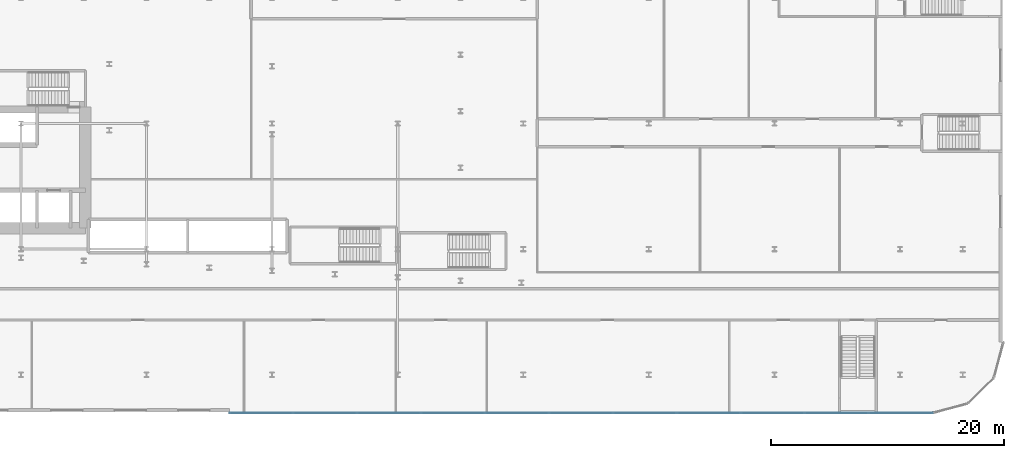
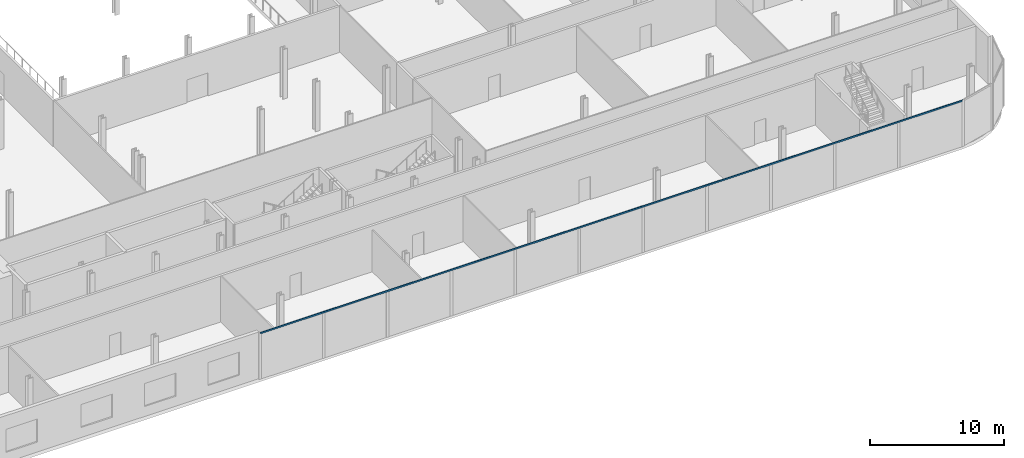
# One storey, part 11 of 47: 1 member, 1 element without a shape of its own.
"""IFC4 building model written with IfcOpenShell, lengths in metres."""

import ifcopenshell
import ifcopenshell.guid

model = None  # the IFC model being written
_history = None  # IfcOwnerHistory: only IFC2X3 demands one
_inside = {}  # id of a spatial element -> (the spatial element, [elements in it])
_under = {}  # id of a project, library or spatial element -> (it, [spatial elements below it])
_declared = {}  # id of a project -> (the project, [libraries it declares])
_typed = {}  # id of a type object -> (the type object, [elements of that type])
_made_of = {}  # id of a material, layer set ... -> (it, [elements and type objects made of it])


def new_model(schema):
    """Start an empty IFC model of exactly this schema.

    Asked for "IFC4X3", IfcOpenShell would pick the latest addendum, in which some entities
    have other attributes; the version numbers below select the first issue.
    IFC2X3 requires an IfcOwnerHistory on every rooted entity: one is made here for all.
    """
    global model, _history
    if schema == "IFC4X3":
        model = ifcopenshell.file(schema_version=(4, 3, 0, 0))
    else:
        model = ifcopenshell.file(schema=schema)
    _inside.clear()
    _under.clear()
    _declared.clear()
    _typed.clear()
    _made_of.clear()
    _history = None
    if model.schema == "IFC2X3":
        org = make("IfcOrganization", Name="unknown")
        user = make(
            "IfcPersonAndOrganization",
            ThePerson=make("IfcPerson", FamilyName="unknown"),
            TheOrganization=org,
        )
        app = make(
            "IfcApplication",
            ApplicationDeveloper=org,
            Version="unknown",
            ApplicationFullName="unknown",
            ApplicationIdentifier="unknown",
        )
        _history = make(
            "IfcOwnerHistory",
            OwningUser=user,
            OwningApplication=app,
            ChangeAction="ADDED",
            CreationDate=0,
        )
    return model


def make(cls, **values):
    """One entity of the class cls with the attributes given. An attribute that is None is left unset."""
    return model.create_entity(
        cls, **{name: value for name, value in values.items() if value is not None}
    )


def rooted(cls, **values):
    """An entity with a GlobalId (a new one), such as an element, a storey or a relation."""
    return make(cls, GlobalId=ifcopenshell.guid.new(), OwnerHistory=_history, **values)


def si_unit(unit_type, name, prefix=None):
    """IfcSIUnit, for example si_unit("LENGTHUNIT", "METRE", prefix="MILLI")."""
    return make("IfcSIUnit", UnitType=unit_type, Prefix=prefix, Name=name)


def assignment(units):
    """IfcUnitAssignment: the units of a project."""
    return None if units is None else make("IfcUnitAssignment", Units=units)


def point(xyz):
    """IfcCartesianPoint."""
    return None if xyz is None else make("IfcCartesianPoint", Coordinates=xyz)


def direction(xyz):
    """IfcDirection."""
    return None if xyz is None else make("IfcDirection", DirectionRatios=xyz)


def frame(location, z_axis=None, x_axis=None):
    """IfcAxis2Placement3D, a coordinate frame: its origin and axes. An axis left out is left unset."""
    return make(
        "IfcAxis2Placement3D",
        Location=point(location),
        Axis=direction(z_axis),
        RefDirection=direction(x_axis),
    )


def frame_2d(location, x_axis=None):
    """IfcAxis2Placement2D, a coordinate frame in the plane: its origin and x axis."""
    return make(
        "IfcAxis2Placement2D", Location=point(location), RefDirection=direction(x_axis)
    )


def origin():
    """The frame at (0, 0, 0) with its axes left unset."""
    return frame((0.0, 0.0, 0.0))


def origin_2d():
    """The frame at (0, 0) in the plane with its x axis left unset."""
    return frame_2d((0.0, 0.0))


def place(relative_to, where):
    """IfcLocalPlacement: puts the frame where relative to a parent placement (None: the world)."""
    return make(
        "IfcLocalPlacement", PlacementRelTo=relative_to, RelativePlacement=where
    )


def context(
    kind, dimensions, precision=None, world=None, true_north=None, identifier=None
):
    """IfcGeometricRepresentationContext, for example the 3D "Model" context."""
    return make(
        "IfcGeometricRepresentationContext",
        ContextIdentifier=identifier,
        ContextType=kind,
        CoordinateSpaceDimension=dimensions,
        Precision=precision,
        WorldCoordinateSystem=world,
        TrueNorth=true_north,
    )


def subcontext(parent, identifier, kind, view, scale=None):
    """IfcGeometricRepresentationSubContext, for example "Body" below "Model"."""
    return make(
        "IfcGeometricRepresentationSubContext",
        ContextIdentifier=identifier,
        ContextType=kind,
        ParentContext=parent,
        TargetScale=scale,
        TargetView=view,
    )


def project(units=None, contexts=None):
    """IfcProject with its units and contexts."""
    return rooted(
        "IfcProject",
        Name="project",
        RepresentationContexts=contexts,
        UnitsInContext=assignment(units),
    )


def spatial(cls, under=None, at=None, **own):
    """A site, building, storey or space (cls), placed at a placement, below another one or the project."""
    s = rooted(cls, ObjectPlacement=at, **own)
    if under is not None:
        _under.setdefault(under.id(), (under, []))[1].append(s)
    return s


def profile(cls, at=None, kind="AREA", **sizes):
    """A parametric profile (cls). Its sizes go by their IFC names, for example OverallWidth=200.0."""
    return make(cls, ProfileType=kind, Position=at, **sizes)


def rectangle(**sizes):
    """IfcRectangleProfileDef."""
    return profile("IfcRectangleProfileDef", **sizes)


def extrude(swept, where, along, depth):
    """IfcExtrudedAreaSolid: the profile swept, set in the frame where, extruded along a direction by depth."""
    return make(
        "IfcExtrudedAreaSolid",
        SweptArea=swept,
        Position=where,
        ExtrudedDirection=direction(along),
        Depth=depth,
    )


def shape(context_of_items, identifier, shape_type, items):
    """IfcShapeRepresentation: the items that make up one representation, for example the "Body"."""
    return make(
        "IfcShapeRepresentation",
        ContextOfItems=context_of_items,
        RepresentationIdentifier=identifier,
        RepresentationType=shape_type,
        Items=items,
    )


def material(Name=None, Category=None):
    """IfcMaterial."""
    return make("IfcMaterial", Name=Name, Category=Category)


def layer(
    of_material, thickness, ventilated=None, Name=None, Category=None, Priority=None
):
    """IfcMaterialLayer: one layer of a wall or slab, of a material (None: an air gap)."""
    return make(
        "IfcMaterialLayer",
        Material=of_material,
        LayerThickness=thickness,
        IsVentilated=ventilated,
        Name=Name,
        Category=Category,
        Priority=Priority,
    )


def layer_set(layers, Name=None):
    """IfcMaterialLayerSet."""
    return make("IfcMaterialLayerSet", MaterialLayers=layers, LayerSetName=Name)


def material_profile(
    of_material, cross_section, Name=None, Category=None, Priority=None
):
    """IfcMaterialProfile: a cross section and its material."""
    return make(
        "IfcMaterialProfile",
        Name=Name,
        Material=of_material,
        Profile=cross_section,
        Priority=Priority,
        Category=Category,
    )


def profile_set(profiles, Name=None, composite=None):
    """IfcMaterialProfileSet."""
    return make(
        "IfcMaterialProfileSet",
        Name=Name,
        MaterialProfiles=profiles,
        CompositeProfile=composite,
    )


def made_of(thing, what):
    """Note that an element or type object is made of a material, layer set ...; save() writes the relation."""
    if what is not None:
        _made_of.setdefault(what.id(), (what, []))[1].append(thing)
    return thing


def type_object(cls, material=None, **own):
    """A type object (cls), such as IfcWallType, which elements share."""
    return made_of(rooted(cls, **own), material)


def element(
    cls,
    number,
    at=None,
    inside=None,
    cuts=None,
    type_object=None,
    material=None,
    context=None,
    identifier="Body",
    shape_type=None,
    held_by="IfcProductDefinitionShape",
    body=None,
    shapes=None,
    **own,
):
    """One element of the class cls, such as IfcWall. Its Tag is "e" and its number.

    at: its placement. inside: the storey or other place that contains it. cuts: it is an
    opening in that element (IfcRelVoidsElement). A single representation is given by context,
    identifier, shape_type and body (its items); several are given by shapes. held_by: the class
    of the entity that holds the representations. save() writes the other relations.
    """
    e = rooted(cls, Tag="e%d" % number, ObjectPlacement=at, **own)
    if body is not None:
        shapes = [shape(context, identifier, shape_type, body)]
    if shapes is not None:
        e.Representation = make(held_by, Representations=shapes)
    if inside is not None:
        _inside.setdefault(inside.id(), (inside, []))[1].append(e)
    if cuts is not None:
        rooted(
            "IfcRelVoidsElement", RelatingBuildingElement=cuts, RelatedOpeningElement=e
        )
    if type_object is not None:
        _typed.setdefault(type_object.id(), (type_object, []))[1].append(e)
    return made_of(e, material)


def aggregate(whole, parts):
    """IfcRelAggregates: a whole, such as a stair, and the parts it consists of."""
    return rooted("IfcRelAggregates", RelatingObject=whole, RelatedObjects=parts)


def save(model, path):
    """Write the relations noted so far, then the file.

    IfcRelAggregates (storeys below a building ...), IfcRelContainedInSpatialStructure (elements
    in a storey), IfcRelDefinesByType, IfcRelAssociatesMaterial and IfcRelDeclares: one each for
    every whole, place, type object, material and project.
    """
    for whole, parts in _under.values():
        aggregate(whole, parts)
    for where, things in _inside.values():
        rooted(
            "IfcRelContainedInSpatialStructure",
            RelatedElements=things,
            RelatingStructure=where,
        )
    for kind, things in _typed.values():
        rooted("IfcRelDefinesByType", RelatedObjects=things, RelatingType=kind)
    for what, things in _made_of.values():
        rooted("IfcRelAssociatesMaterial", RelatedObjects=things, RelatingMaterial=what)
    for by, libraries in _declared.values():
        rooted("IfcRelDeclares", RelatingContext=by, RelatedDefinitions=libraries)
    model.write(path)


model = new_model("IFC4")

# Units and contexts
model_context = context("Model", 3, precision=1e-05, world=origin(), true_north=direction((0.0, 1.0)))
body_context = subcontext(model_context, "Body", "Model", "MODEL_VIEW")
ifc_project = project(units=[si_unit("LENGTHUNIT", "METRE"), si_unit("AREAUNIT", "SQUARE_METRE"), si_unit("VOLUMEUNIT", "CUBIC_METRE"), si_unit("PLANEANGLEUNIT", "RADIAN"), si_unit("MASSUNIT", "GRAM", prefix="KILO")], contexts=[model_context])

# Site, building, storey
site_placement = place(None, origin())
site = spatial("IfcSite", under=ifc_project, at=site_placement, CompositionType="ELEMENT")
building_placement = place(site_placement, origin())
building = spatial("IfcBuilding", under=site, at=building_placement, Name="Kheshtan School and Residences Tower", CompositionType="ELEMENT")
storey_placement = place(building_placement, frame((0.0, 0.0, 21.5)))
storey = spatial("IfcBuildingStorey", under=building, at=storey_placement, Name="L04", CompositionType="ELEMENT", Elevation=21.5)

# Curtain wall, member
ifc_material_1 = material(Name="Clear low-e glass in thermally broken aluminium frame", Category="aluminium")
ifc_layer = layer(ifc_material_1, 0.22509765625)
ifc_layer_set = layer_set([ifc_layer], Name="Curtain wall CW-P")
curtain_wall_type = type_object("IfcCurtainWallType", Name="Curtain wall CW-P", PredefinedType="NOTDEFINED", material=ifc_layer_set)
curtain_wall_placement = place(storey_placement, origin())
curtain_wall = element("IfcCurtainWall", 1, at=curtain_wall_placement, inside=storey, type_object=curtain_wall_type, Name="Curtain wall CWP12a", PredefinedType="NOTDEFINED")
ifc_material_2 = material(Name="Thermally broken aluminium, dark bronze anodised", Category="aluminium")
ifc_material_profile = material_profile(ifc_material_2, rectangle(XDim=0.06005859375, YDim=0.139892578125, at=origin_2d()), Name="CW-P transom 60x140")
ifc_profile_set = profile_set([ifc_material_profile], Name="Thermally broken aluminium, dark bronze anodised")
member_type = type_object("IfcMemberType", Name="CW-P transom 60x140", PredefinedType="USERDEFINED", material=ifc_profile_set)
member_placement = place(storey_placement, frame((126.02490234375, 9.89990234375, 4.179931640625), z_axis=(-1.0, 0.0, 0.0), x_axis=(0.0, -1.0, 0.0)))
member = element("IfcMember", 2, at=member_placement, type_object=member_type, Name="CWP12a transom 1", ObjectType="TRANSOM", PredefinedType="USERDEFINED", context=body_context, shape_type="SweptSolid", body=[
    extrude(rectangle(XDim=0.06005859375, YDim=0.139892578125, at=origin_2d()), origin(), (0.0, 0.0, 1.0), 60.44482421875),
])
aggregate(curtain_wall, [member])

save(model, "model.ifc")
